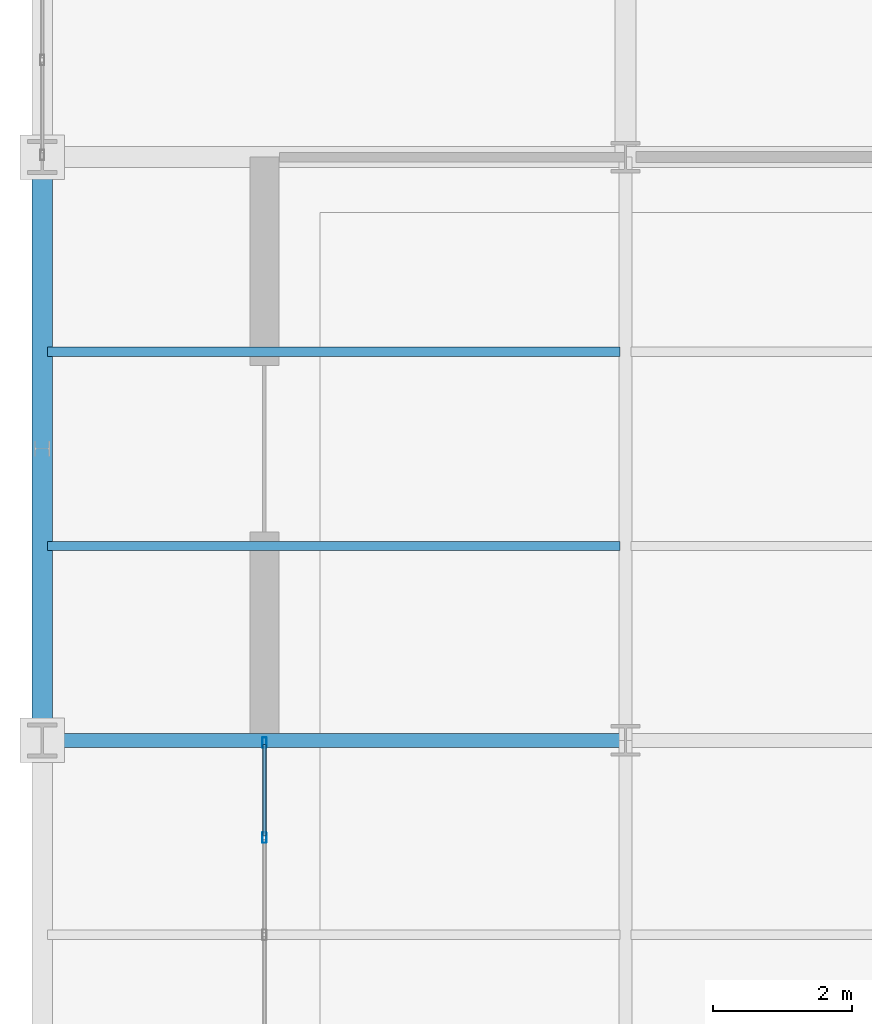
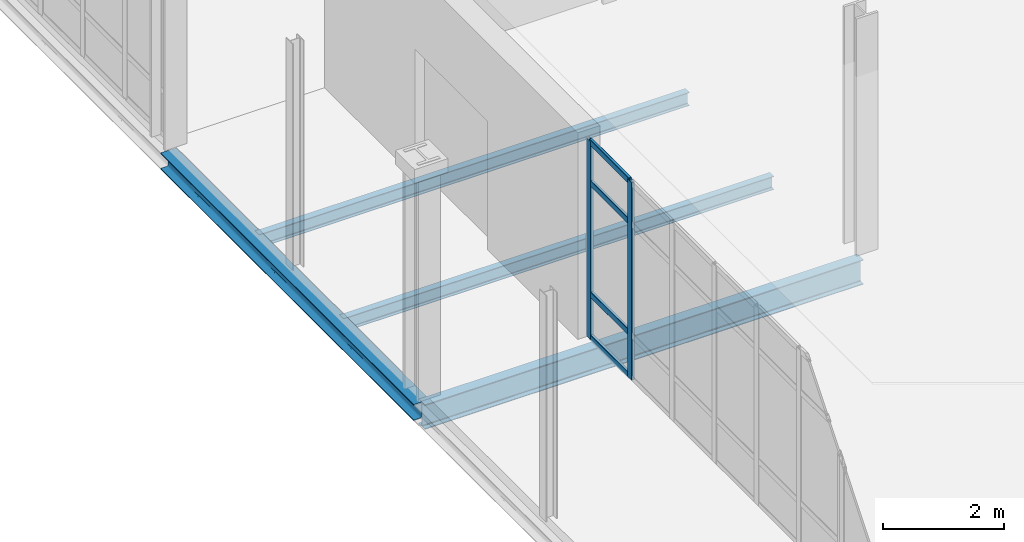
# One storey, part 31 of 145: 6 members, 4 beams, 1 element without a shape of its own.
"""IFC4 building model written with IfcOpenShell, lengths in metres."""

from ifc_helpers import new_model, si_unit, direction, frame, origin, origin_2d, place, context, subcontext, project, spatial, hollow_rectangle, i_section, extrude, material, layer, layer_set, material_profile, profile_set, type_object, element, aggregate, save


model = new_model("IFC4")

# Units and contexts
model_context = context("Model", 3, precision=1e-05, world=origin(), true_north=direction((0.0, 1.0)))
body_context = subcontext(model_context, "Body", "Model", "MODEL_VIEW")
ifc_project = project(units=[si_unit("LENGTHUNIT", "METRE"), si_unit("AREAUNIT", "SQUARE_METRE"), si_unit("VOLUMEUNIT", "CUBIC_METRE"), si_unit("PLANEANGLEUNIT", "RADIAN"), si_unit("MASSUNIT", "GRAM", prefix="KILO")], contexts=[model_context])

# Site, building, storey
site_placement = place(None, origin())
site = spatial("IfcSite", under=ifc_project, at=site_placement, CompositionType="ELEMENT")
building_placement = place(site_placement, origin())
building = spatial("IfcBuilding", under=site, at=building_placement, Name="Qalvenar Corner Mobility Hub", CompositionType="ELEMENT")
storey_placement = place(building_placement, origin())
storey = spatial("IfcBuildingStorey", under=building, at=storey_placement, Name="L00", CompositionType="ELEMENT", Elevation=0.0)

# Beams
ifc_material_1 = material(Name="Steel S355", Category="steel")
ifc_material_profile_1 = material_profile(ifc_material_1, i_section(OverallWidth=0.199951171875, OverallDepth=0.5, WebThickness=0.01025390625, FlangeThickness=0.01611328125, FilletRadius=0.02099609375, at=origin_2d()), Name="IPE500")
ifc_profile_set_1 = profile_set([ifc_material_profile_1], Name="Steel S355")
beam_type_1 = type_object("IfcBeamType", Name="BM-IPE500", PredefinedType="BEAM", material=ifc_profile_set_1)
beam_1_placement = place(storey_placement, frame((0.0, 33.60009765625, -0.469970703125), z_axis=(1.0, 0.0, 0.0), x_axis=(0.0, 1.0, 0.0)))
element("IfcBeam", 1, at=beam_1_placement, inside=storey, type_object=beam_type_1, Name="Primary Steel Girder GX-0025", PredefinedType="BEAM", context=body_context, shape_type="SweptSolid", body=[
    extrude(i_section(OverallWidth=0.199951171875, OverallDepth=0.5, WebThickness=0.01025390625, FlangeThickness=0.01611328125, FilletRadius=0.02099609375, at=origin_2d()), origin(), (0.0, 0.0, 1.0), 8.39990234375),
])
ifc_material_profile_2 = material_profile(ifc_material_1, i_section(OverallWidth=0.135009765625, OverallDepth=0.27001953125, WebThickness=0.006591796875, FlangeThickness=0.01025390625, FilletRadius=0.014892578125, at=origin_2d()), Name="IPE270")
ifc_profile_set_2 = profile_set([ifc_material_profile_2], Name="Steel S355")
beam_type_2 = type_object("IfcBeamType", Name="BM-JST270", PredefinedType="JOIST", material=ifc_profile_set_2)
for number, where, z_axis, x_axis, name in (
    (2, (0.077880859375, 36.39990234375, -0.35498046875), (1.0, 0.0, 0.0), (0.0, 1.0, 0.0), "Composite Floor Joist J-0081"),
    (3, (0.077880859375, 39.199951171875, -0.35498046875), (1.0, 0.0, 0.0), (0.0, 1.0, 0.0), "Composite Floor Joist J-0082"),
):
    element("IfcBeam", number, at=place(storey_placement, frame(where, z_axis=z_axis, x_axis=x_axis)), inside=storey, type_object=beam_type_2, Name=name, PredefinedType="JOIST", context=body_context, shape_type="SweptSolid", body=[
        extrude(i_section(OverallWidth=0.135009765625, OverallDepth=0.27001953125, WebThickness=0.006591796875, FlangeThickness=0.01025390625, FilletRadius=0.014892578125, at=origin_2d()), origin(), (0.0, 0.0, 1.0), 8.244140625),
    ])
ifc_material_profile_3 = material_profile(ifc_material_1, i_section(OverallWidth=0.300048828125, OverallDepth=0.330078125, WebThickness=0.009521484375, FlangeThickness=0.0166015625, FilletRadius=0.027099609375, at=origin_2d()), Name="HEA340")
ifc_profile_set_3 = profile_set([ifc_material_profile_3], Name="Steel S355")
beam_type_3 = type_object("IfcBeamType", Name="BM-SPN340", PredefinedType="SPANDREL", material=ifc_profile_set_3)
beam_2_placement = place(storey_placement, frame((0.0, 33.60009765625, -0.385009765625), z_axis=(0.0, 1.0, 0.0), x_axis=(-1.0, 0.0, 0.0)))
element("IfcBeam", 4, at=beam_2_placement, inside=storey, type_object=beam_type_3, Name="Primary Steel Girder GY-0041", PredefinedType="SPANDREL", context=body_context, shape_type="SweptSolid", body=[
    extrude(i_section(OverallWidth=0.300048828125, OverallDepth=0.330078125, WebThickness=0.009521484375, FlangeThickness=0.0166015625, FilletRadius=0.027099609375, at=origin_2d()), origin(), (0.0, 0.0, 1.0), 8.39990234375),
])

# Curtain wall, members
ifc_material_2 = material(Name="Anodised Aluminium and Low-E Glazing", Category="aluminium")
ifc_layer = layer(ifc_material_2, 0.14990234375)
ifc_layer_set = layer_set([ifc_layer], Name="Anodised Aluminium and Low-E Glazing")
curtain_wall_type = type_object("IfcCurtainWallType", Name="CW-CIV-84X40", PredefinedType="NOTDEFINED", material=ifc_layer_set)
curtain_wall_placement = place(storey_placement, origin())
curtain_wall = element("IfcCurtainWall", 5, at=curtain_wall_placement, inside=storey, type_object=curtain_wall_type, Name="Glazed Curtain Wall CW-V3-L00-W004", PredefinedType="NOTDEFINED")
ifc_material_3 = material(Name="Anodised Aluminium 6063-T6", Category="aluminium")
ifc_material_profile_4 = material_profile(ifc_material_3, hollow_rectangle(XDim=0.06005859375, YDim=0.14990234375, WallThickness=0.00390625, InnerFilletRadius=0.00390625, OuterFilletRadius=0.008056640625, at=origin_2d()), Name="RHS150x60x4")
ifc_profile_set_4 = profile_set([ifc_material_profile_4], Name="Anodised Aluminium 6063-T6")
member_type_1 = type_object("IfcMemberType", Name="CW-MUL150", PredefinedType="MULLION", material=ifc_profile_set_4)
member_1_placement = place(storey_placement, frame((3.199951171875, 33.570068359375, 0.0), z_axis=(0.0, 0.0, 1.0), x_axis=(1.0, 0.0, 0.0)))
member_1 = element("IfcMember", 6, at=member_1_placement, type_object=member_type_1, Name="CW-05 mullion 1", PredefinedType="MULLION", context=body_context, shape_type="SweptSolid", body=[
    extrude(hollow_rectangle(XDim=0.06005859375, YDim=0.14990234375, WallThickness=0.00390625, InnerFilletRadius=0.00390625, OuterFilletRadius=0.008056640625, at=origin_2d()), origin(), (0.0, 0.0, 1.0), 4.0),
])
member_2_placement = place(storey_placement, frame((3.199951171875, 32.199951171875, 0.0), z_axis=(0.0, 0.0, 1.0), x_axis=(1.0, 0.0, 0.0)))
member_2 = element("IfcMember", 7, at=member_2_placement, type_object=member_type_1, Name="CW-05 mullion 2", PredefinedType="MULLION", context=body_context, shape_type="SweptSolid", body=[
    extrude(hollow_rectangle(XDim=0.06005859375, YDim=0.14990234375, WallThickness=0.00390625, InnerFilletRadius=0.00390625, OuterFilletRadius=0.008056640625, at=origin_2d()), origin(), (0.0, 0.0, 1.0), 4.0),
])
ifc_material_profile_5 = material_profile(ifc_material_3, hollow_rectangle(XDim=0.054931640625, YDim=0.1201171875, WallThickness=0.00341796875, InnerFilletRadius=0.00341796875, OuterFilletRadius=0.007080078125, at=origin_2d()), Name="RHS120x55x3.5")
ifc_profile_set_5 = profile_set([ifc_material_profile_5], Name="Anodised Aluminium 6063-T6")
member_type_2 = type_object("IfcMemberType", Name="CW-TRN120", PredefinedType="USERDEFINED", material=ifc_profile_set_5)
member_3_placement = place(storey_placement, frame((3.199951171875, 33.5400390625, 0.027587890625), z_axis=(0.0, -1.0, 0.0), x_axis=(1.0, 0.0, 0.0)))
member_3 = element("IfcMember", 8, at=member_3_placement, type_object=member_type_2, Name="CW-05 transom 1.1", ObjectType="TRANSOM", PredefinedType="USERDEFINED", context=body_context, shape_type="SweptSolid", body=[
    extrude(hollow_rectangle(XDim=0.054931640625, YDim=0.1201171875, WallThickness=0.00341796875, InnerFilletRadius=0.00341796875, OuterFilletRadius=0.007080078125, at=origin_2d()), origin(), (0.0, 0.0, 1.0), 1.31005859375),
])
member_4_placement = place(storey_placement, frame((3.199951171875, 33.5400390625, 0.89990234375), z_axis=(0.0, -1.0, 0.0), x_axis=(1.0, 0.0, 0.0)))
member_4 = element("IfcMember", 9, at=member_4_placement, type_object=member_type_2, Name="CW-05 transom 1.2", ObjectType="TRANSOM", PredefinedType="USERDEFINED", context=body_context, shape_type="SweptSolid", body=[
    extrude(hollow_rectangle(XDim=0.054931640625, YDim=0.1201171875, WallThickness=0.00341796875, InnerFilletRadius=0.00341796875, OuterFilletRadius=0.007080078125, at=origin_2d()), origin(), (0.0, 0.0, 1.0), 1.31005859375),
])
member_5_placement = place(storey_placement, frame((3.199951171875, 33.5400390625, 3.14990234375), z_axis=(0.0, -1.0, 0.0), x_axis=(1.0, 0.0, 0.0)))
member_5 = element("IfcMember", 10, at=member_5_placement, type_object=member_type_2, Name="CW-05 transom 1.3", ObjectType="TRANSOM", PredefinedType="USERDEFINED", context=body_context, shape_type="SweptSolid", body=[
    extrude(hollow_rectangle(XDim=0.054931640625, YDim=0.1201171875, WallThickness=0.00341796875, InnerFilletRadius=0.00341796875, OuterFilletRadius=0.007080078125, at=origin_2d()), origin(), (0.0, 0.0, 1.0), 1.31005859375),
])
member_6_placement = place(storey_placement, frame((3.199951171875, 33.5400390625, 3.972412109375), z_axis=(0.0, -1.0, 0.0), x_axis=(1.0, 0.0, 0.0)))
member_6 = element("IfcMember", 11, at=member_6_placement, type_object=member_type_2, Name="CW-05 transom 1.4", ObjectType="TRANSOM", PredefinedType="USERDEFINED", context=body_context, shape_type="SweptSolid", body=[
    extrude(hollow_rectangle(XDim=0.054931640625, YDim=0.1201171875, WallThickness=0.00341796875, InnerFilletRadius=0.00341796875, OuterFilletRadius=0.007080078125, at=origin_2d()), origin(), (0.0, 0.0, 1.0), 1.31005859375),
])
aggregate(curtain_wall, [member_1, member_2, member_3, member_4, member_5, member_6])

save(model, "model.ifc")
